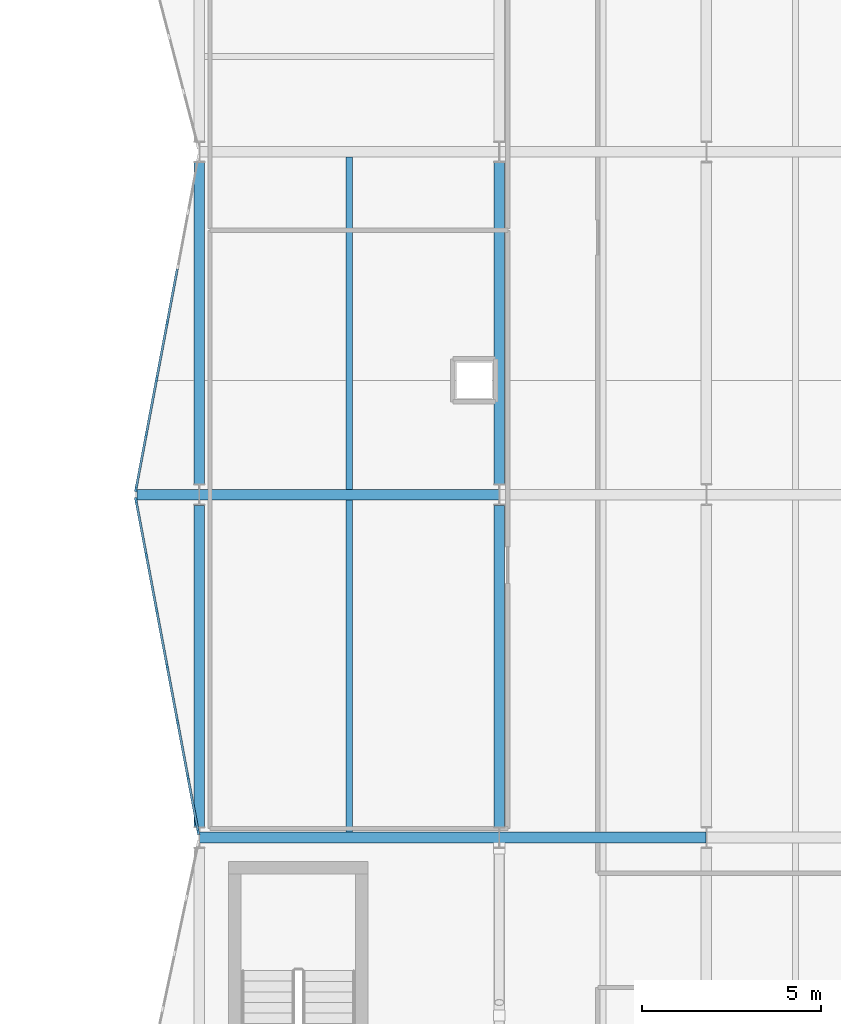
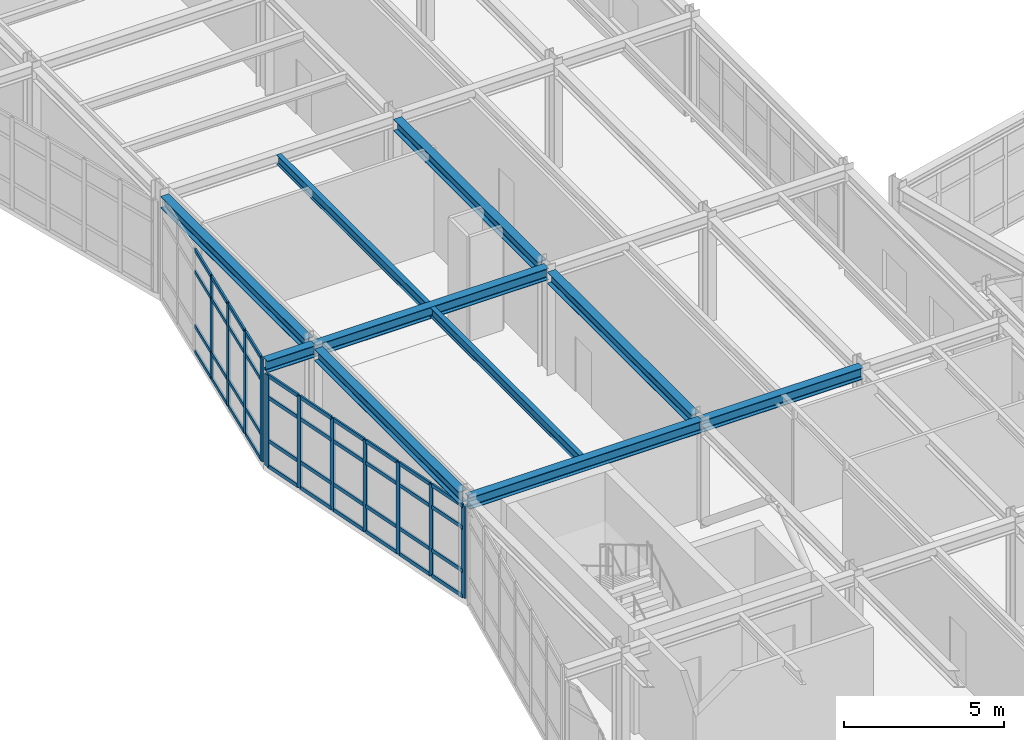
# One storey, part 24 of 99: 51 members, 10 beams, 2 elements without a shape of their own.
"""IFC4 building model written with IfcOpenShell, lengths in metres."""

from ifc_helpers import new_model, si_unit, direction, frame, origin, origin_2d, place, context, subcontext, project, spatial, rectangle, i_section, extrude, material, layer, layer_set, material_profile, profile_set, type_object, element, aggregate, save


model = new_model("IFC4")

# Units and contexts
model_context = context("Model", 3, precision=1e-05, world=origin(), true_north=direction((0.0, 1.0)))
body_context = subcontext(model_context, "Body", "Model", "MODEL_VIEW")
ifc_project = project(units=[si_unit("LENGTHUNIT", "METRE"), si_unit("AREAUNIT", "SQUARE_METRE"), si_unit("VOLUMEUNIT", "CUBIC_METRE"), si_unit("PLANEANGLEUNIT", "RADIAN"), si_unit("MASSUNIT", "GRAM", prefix="KILO")], contexts=[model_context])

# Site, building, storey
site_placement = place(None, origin())
site = spatial("IfcSite", under=ifc_project, at=site_placement, CompositionType="ELEMENT")
building_placement = place(site_placement, origin())
building = spatial("IfcBuilding", under=site, at=building_placement, Name="Nordkorset Police Headquarters", CompositionType="ELEMENT")
storey_placement = place(building_placement, frame((0.0, 0.0, 5.25)))
storey = spatial("IfcBuildingStorey", under=building, at=storey_placement, Name="L01", CompositionType="ELEMENT", Elevation=5.25)

# Beams
ifc_material_1 = material(Name="Steel S355J2", Category="steel")
ifc_material_profile_1 = material_profile(ifc_material_1, i_section(OverallWidth=0.169921875, OverallDepth=0.360107421875, WebThickness=0.008056640625, FlangeThickness=0.0126953125, FilletRadius=0.01806640625, at=origin_2d()), Name="IPE 360")
ifc_profile_set_1 = profile_set([ifc_material_profile_1], Name="Steel S355J2")
beam_type_1 = type_object("IfcBeamType", Name="Beam_IPE_360", PredefinedType="BEAM", material=ifc_profile_set_1)
for number, where, z_axis, x_axis, name in (
    (1, (4.199951171875, 48.14990234375, 3.780029296875), (0.0, 1.0, 0.0), (-1.0, 0.0, 0.0), "Composite Floor Beam V3 L01 0-2-1"),
    (2, (4.199951171875, 57.75, 3.780029296875), (0.0, 1.0, 0.0), (-1.0, 0.0, 0.0), "Composite Floor Beam V3 L01 0-3-1"),
):
    element("IfcBeam", number, at=place(storey_placement, frame(where, z_axis=z_axis, x_axis=x_axis)), inside=storey, type_object=beam_type_1, Name=name, PredefinedType="BEAM", context=body_context, shape_type="SweptSolid", body=[
        extrude(i_section(OverallWidth=0.169921875, OverallDepth=0.360107421875, WebThickness=0.008056640625, FlangeThickness=0.0126953125, FilletRadius=0.01806640625, at=origin_2d()), origin(), (0.0, 0.0, 1.0), 9.300048828125),
    ])

# Curtain wall, members
ifc_material_2 = material(Name="Aluminium alloy AW-6060", Category="aluminium")
ifc_layer_1 = layer(ifc_material_2, 0.179931640625, Name="Aluminium alloy AW-6060")
ifc_layer_set_1 = layer_set([ifc_layer_1], Name="Aluminium alloy AW-6060")
curtain_wall_type_1 = type_object("IfcCurtainWallType", Name="CW_Unit_949x350", PredefinedType="USERDEFINED", material=ifc_layer_set_1)
curtain_wall_1_placement = place(storey_placement, origin())
curtain_wall_1 = element("IfcCurtainWall", 3, at=curtain_wall_1_placement, inside=storey, type_object=curtain_wall_type_1, Name="Unitised Curtain Wall L01 V3W-2", ObjectType="UNITISED CURTAIN WALL", PredefinedType="USERDEFINED")
ifc_material_3 = material(Name="Aluminium alloy AW-6060", Category="aluminium")
ifc_material_profile_2 = material_profile(ifc_material_3, rectangle(XDim=0.06494140625, YDim=0.179931640625, at=origin_2d()), Name="ALU MULL 65x180")
ifc_profile_set_2 = profile_set([ifc_material_profile_2], Name="Aluminium alloy AW-6060")
member_type_1 = type_object("IfcMemberType", Name="CW_Mullion_65x180", PredefinedType="MULLION", material=ifc_profile_set_2)
member_1_placement = place(storey_placement, frame((-0.03173828125, 48.16943359375, 0.0), z_axis=(0.0, 0.0, 1.0), x_axis=(-0.982872186935, -0.184288535048, 0.0)))
member_1 = element("IfcMember", 4, at=member_1_placement, type_object=member_type_1, Name="CW-78 mullion 1", PredefinedType="MULLION", context=body_context, shape_type="SweptSolid", body=[
    extrude(rectangle(XDim=0.06494140625, YDim=0.179931640625, at=origin_2d()), origin(), (0.0, 0.0, 1.0), 3.5),
])
member_2_placement = place(storey_placement, frame((-0.317138671875, 49.691650390625, 0.0), z_axis=(0.0, 0.0, 1.0), x_axis=(-0.982872186935, -0.184288535048, 0.0)))
member_2 = element("IfcMember", 5, at=member_2_placement, type_object=member_type_1, Name="CW-78 mullion 2", PredefinedType="MULLION", context=body_context, shape_type="SweptSolid", body=[
    extrude(rectangle(XDim=0.06494140625, YDim=0.179931640625, at=origin_2d()), origin(), (0.0, 0.0, 1.0), 3.5),
])
member_3_placement = place(storey_placement, frame((-0.608642578125, 51.245849609375, 0.0), z_axis=(0.0, 0.0, 1.0), x_axis=(-0.982872186935, -0.184288535048, 0.0)))
member_3 = element("IfcMember", 6, at=member_3_placement, type_object=member_type_1, Name="CW-78 mullion 3", PredefinedType="MULLION", context=body_context, shape_type="SweptSolid", body=[
    extrude(rectangle(XDim=0.06494140625, YDim=0.179931640625, at=origin_2d()), origin(), (0.0, 0.0, 1.0), 3.5),
])
member_4_placement = place(storey_placement, frame((-0.89990234375, 52.800048828125, 0.0), z_axis=(0.0, 0.0, 1.0), x_axis=(-0.982872186935, -0.184288535048, 0.0)))
member_4 = element("IfcMember", 7, at=member_4_placement, type_object=member_type_1, Name="CW-78 mullion 4", PredefinedType="MULLION", context=body_context, shape_type="SweptSolid", body=[
    extrude(rectangle(XDim=0.06494140625, YDim=0.179931640625, at=origin_2d()), origin(), (0.0, 0.0, 1.0), 3.5),
])
member_5_placement = place(storey_placement, frame((-1.19140625, 54.354248046875, 0.0), z_axis=(0.0, 0.0, 1.0), x_axis=(-0.982872186935, -0.184288535048, 0.0)))
member_5 = element("IfcMember", 8, at=member_5_placement, type_object=member_type_1, Name="CW-78 mullion 5", PredefinedType="MULLION", context=body_context, shape_type="SweptSolid", body=[
    extrude(rectangle(XDim=0.06494140625, YDim=0.179931640625, at=origin_2d()), origin(), (0.0, 0.0, 1.0), 3.5),
])
member_6_placement = place(storey_placement, frame((-1.48291015625, 55.908203125, 0.0), z_axis=(0.0, 0.0, 1.0), x_axis=(-0.982872186935, -0.184288535048, 0.0)))
member_6 = element("IfcMember", 9, at=member_6_placement, type_object=member_type_1, Name="CW-78 mullion 6", PredefinedType="MULLION", context=body_context, shape_type="SweptSolid", body=[
    extrude(rectangle(XDim=0.06494140625, YDim=0.179931640625, at=origin_2d()), origin(), (0.0, 0.0, 1.0), 3.5),
])
member_7_placement = place(storey_placement, frame((-1.768310546875, 57.430419921875, 0.0), z_axis=(0.0, 0.0, 1.0), x_axis=(-0.982872186935, -0.184288535048, 0.0)))
member_7 = element("IfcMember", 10, at=member_7_placement, type_object=member_type_1, Name="CW-78 mullion 7", PredefinedType="MULLION", context=body_context, shape_type="SweptSolid", body=[
    extrude(rectangle(XDim=0.06494140625, YDim=0.179931640625, at=origin_2d()), origin(), (0.0, 0.0, 1.0), 3.5),
])

ifc_material_4 = material(Name="Aluminium alloy AW-6060", Category="aluminium")
ifc_layer_2 = layer(ifc_material_4, 0.179931640625, Name="Aluminium alloy AW-6060")
ifc_layer_set_2 = layer_set([ifc_layer_2], Name="Aluminium alloy AW-6060")
curtain_wall_type_2 = type_object("IfcCurtainWallType", Name="CW_Unit_949x392", PredefinedType="USERDEFINED", material=ifc_layer_set_2)
curtain_wall_2_placement = place(storey_placement, origin())
curtain_wall_2 = element("IfcCurtainWall", 11, at=curtain_wall_2_placement, inside=storey, type_object=curtain_wall_type_2, Name="Unitised Curtain Wall L01 V3W-3", ObjectType="UNITISED CURTAIN WALL", PredefinedType="USERDEFINED")
member_8_placement = place(storey_placement, frame((-1.768310546875, 57.76953125, 0.0), z_axis=(0.0, 0.0, 1.0), x_axis=(-0.982872186935, 0.184288535048, 0.0)))
member_8 = element("IfcMember", 12, at=member_8_placement, type_object=member_type_1, Name="CW-49 mullion 1", PredefinedType="MULLION", context=body_context, shape_type="SweptSolid", body=[
    extrude(rectangle(XDim=0.06494140625, YDim=0.179931640625, at=origin_2d()), origin(), (0.0, 0.0, 1.0), 3.919921875),
])
member_9_placement = place(storey_placement, frame((-1.48291015625, 59.291748046875, 0.0), z_axis=(0.0, 0.0, 1.0), x_axis=(-0.982872186935, 0.184288535048, 0.0)))
member_9 = element("IfcMember", 13, at=member_9_placement, type_object=member_type_1, Name="CW-49 mullion 2", PredefinedType="MULLION", context=body_context, shape_type="SweptSolid", body=[
    extrude(rectangle(XDim=0.06494140625, YDim=0.179931640625, at=origin_2d()), origin(), (0.0, 0.0, 1.0), 3.919921875),
])
member_10_placement = place(storey_placement, frame((-1.19140625, 60.845947265625, 0.0), z_axis=(0.0, 0.0, 1.0), x_axis=(-0.982872186935, 0.184288535048, 0.0)))
member_10 = element("IfcMember", 14, at=member_10_placement, type_object=member_type_1, Name="CW-49 mullion 3", PredefinedType="MULLION", context=body_context, shape_type="SweptSolid", body=[
    extrude(rectangle(XDim=0.06494140625, YDim=0.179931640625, at=origin_2d()), origin(), (0.0, 0.0, 1.0), 3.919921875),
])
member_11_placement = place(storey_placement, frame((-0.89990234375, 62.39990234375, 0.0), z_axis=(0.0, 0.0, 1.0), x_axis=(-0.982872186935, 0.184288535048, 0.0)))
member_11 = element("IfcMember", 15, at=member_11_placement, type_object=member_type_1, Name="CW-49 mullion 4", PredefinedType="MULLION", context=body_context, shape_type="SweptSolid", body=[
    extrude(rectangle(XDim=0.06494140625, YDim=0.179931640625, at=origin_2d()), origin(), (0.0, 0.0, 1.0), 3.919921875),
])

# Member
ifc_material_5 = material(Name="Aluminium alloy AW-6060", Category="aluminium")
ifc_material_profile_3 = material_profile(ifc_material_5, rectangle(XDim=0.06494140625, YDim=0.139892578125, at=origin_2d()), Name="ALU TRAN 65x140")
ifc_profile_set_3 = profile_set([ifc_material_profile_3], Name="Aluminium alloy AW-6060")
member_type_2 = type_object("IfcMemberType", Name="CW_Transom_65x140", PredefinedType="USERDEFINED", material=ifc_profile_set_3)
member_12_placement = place(storey_placement, frame((-0.037841796875, 48.201416015625, 0.032470703125), z_axis=(-0.184298470268, 0.982870324029, 0.0), x_axis=(-0.982870324029, -0.184298470268, 0.0)))
member_12 = element("IfcMember", 16, at=member_12_placement, type_object=member_type_2, Name="CW-78 transom 1.1", ObjectType="TRANSOM", PredefinedType="USERDEFINED", context=body_context, shape_type="SweptSolid", body=[
    extrude(rectangle(XDim=0.06494140625, YDim=0.139892578125, at=origin_2d()), origin(), (0.0, 0.0, 1.0), 1.483642578125),
])

member_13_placement = place(storey_placement, frame((-0.037841796875, 48.201416015625, 1.0), z_axis=(-0.184298470268, 0.982870324029, 0.0), x_axis=(-0.982870324029, -0.184298470268, 0.0)))
member_13 = element("IfcMember", 17, at=member_13_placement, type_object=member_type_2, Name="CW-78 transom 1.2", ObjectType="TRANSOM", PredefinedType="USERDEFINED", context=body_context, shape_type="SweptSolid", body=[
    extrude(rectangle(XDim=0.06494140625, YDim=0.139892578125, at=origin_2d()), origin(), (0.0, 0.0, 1.0), 1.483642578125),
])

member_14_placement = place(storey_placement, frame((-0.037841796875, 48.201416015625, 2.64990234375), z_axis=(-0.184298470268, 0.982870324029, 0.0), x_axis=(-0.982870324029, -0.184298470268, 0.0)))
member_14 = element("IfcMember", 18, at=member_14_placement, type_object=member_type_2, Name="CW-78 transom 1.3", ObjectType="TRANSOM", PredefinedType="USERDEFINED", context=body_context, shape_type="SweptSolid", body=[
    extrude(rectangle(XDim=0.06494140625, YDim=0.139892578125, at=origin_2d()), origin(), (0.0, 0.0, 1.0), 1.483642578125),
])

member_15_placement = place(storey_placement, frame((-0.037841796875, 48.201416015625, 3.467529296875), z_axis=(-0.184298470268, 0.982870324029, 0.0), x_axis=(-0.982870324029, -0.184298470268, 0.0)))
member_15 = element("IfcMember", 19, at=member_15_placement, type_object=member_type_2, Name="CW-78 transom 1.4", ObjectType="TRANSOM", PredefinedType="USERDEFINED", context=body_context, shape_type="SweptSolid", body=[
    extrude(rectangle(XDim=0.06494140625, YDim=0.139892578125, at=origin_2d()), origin(), (0.0, 0.0, 1.0), 1.483642578125),
])

member_16_placement = place(storey_placement, frame((-0.3232421875, 49.7236328125, 0.032470703125), z_axis=(-0.184210757138, 0.982886767107, 0.0), x_axis=(-0.982886767107, -0.184210757138, 0.0)))
member_16 = element("IfcMember", 20, at=member_16_placement, type_object=member_type_2, Name="CW-78 transom 2.1", ObjectType="TRANSOM", PredefinedType="USERDEFINED", context=body_context, shape_type="SweptSolid", body=[
    extrude(rectangle(XDim=0.06494140625, YDim=0.139892578125, at=origin_2d()), origin(), (0.0, 0.0, 1.0), 1.51611328125),
])

member_17_placement = place(storey_placement, frame((-0.3232421875, 49.7236328125, 1.0), z_axis=(-0.184210757138, 0.982886767107, 0.0), x_axis=(-0.982886767107, -0.184210757138, 0.0)))
member_17 = element("IfcMember", 21, at=member_17_placement, type_object=member_type_2, Name="CW-78 transom 2.2", ObjectType="TRANSOM", PredefinedType="USERDEFINED", context=body_context, shape_type="SweptSolid", body=[
    extrude(rectangle(XDim=0.06494140625, YDim=0.139892578125, at=origin_2d()), origin(), (0.0, 0.0, 1.0), 1.51611328125),
])

member_18_placement = place(storey_placement, frame((-0.3232421875, 49.7236328125, 2.64990234375), z_axis=(-0.184210757138, 0.982886767107, 0.0), x_axis=(-0.982886767107, -0.184210757138, 0.0)))
member_18 = element("IfcMember", 22, at=member_18_placement, type_object=member_type_2, Name="CW-78 transom 2.3", ObjectType="TRANSOM", PredefinedType="USERDEFINED", context=body_context, shape_type="SweptSolid", body=[
    extrude(rectangle(XDim=0.06494140625, YDim=0.139892578125, at=origin_2d()), origin(), (0.0, 0.0, 1.0), 1.51611328125),
])

member_19_placement = place(storey_placement, frame((-0.3232421875, 49.7236328125, 3.467529296875), z_axis=(-0.184210757138, 0.982886767107, 0.0), x_axis=(-0.982886767107, -0.184210757138, 0.0)))
member_19 = element("IfcMember", 23, at=member_19_placement, type_object=member_type_2, Name="CW-78 transom 2.4", ObjectType="TRANSOM", PredefinedType="USERDEFINED", context=body_context, shape_type="SweptSolid", body=[
    extrude(rectangle(XDim=0.06494140625, YDim=0.139892578125, at=origin_2d()), origin(), (0.0, 0.0, 1.0), 1.51611328125),
])

member_20_placement = place(storey_placement, frame((-0.614501953125, 51.27783203125, 0.032470703125), z_axis=(-0.1843663095, 0.98285760104, 0.0), x_axis=(-0.98285760104, -0.1843663095, 0.0)))
member_20 = element("IfcMember", 24, at=member_20_placement, type_object=member_type_2, Name="CW-78 transom 3.1", ObjectType="TRANSOM", PredefinedType="USERDEFINED", context=body_context, shape_type="SweptSolid", body=[
    extrude(rectangle(XDim=0.06494140625, YDim=0.139892578125, at=origin_2d()), origin(), (0.0, 0.0, 1.0), 1.51611328125),
])

member_21_placement = place(storey_placement, frame((-0.614501953125, 51.27783203125, 1.0), z_axis=(-0.1843663095, 0.98285760104, 0.0), x_axis=(-0.98285760104, -0.1843663095, 0.0)))
member_21 = element("IfcMember", 25, at=member_21_placement, type_object=member_type_2, Name="CW-78 transom 3.2", ObjectType="TRANSOM", PredefinedType="USERDEFINED", context=body_context, shape_type="SweptSolid", body=[
    extrude(rectangle(XDim=0.06494140625, YDim=0.139892578125, at=origin_2d()), origin(), (0.0, 0.0, 1.0), 1.51611328125),
])

member_22_placement = place(storey_placement, frame((-0.614501953125, 51.27783203125, 2.64990234375), z_axis=(-0.1843663095, 0.98285760104, 0.0), x_axis=(-0.98285760104, -0.1843663095, 0.0)))
member_22 = element("IfcMember", 26, at=member_22_placement, type_object=member_type_2, Name="CW-78 transom 3.3", ObjectType="TRANSOM", PredefinedType="USERDEFINED", context=body_context, shape_type="SweptSolid", body=[
    extrude(rectangle(XDim=0.06494140625, YDim=0.139892578125, at=origin_2d()), origin(), (0.0, 0.0, 1.0), 1.51611328125),
])

member_23_placement = place(storey_placement, frame((-0.614501953125, 51.27783203125, 3.467529296875), z_axis=(-0.1843663095, 0.98285760104, 0.0), x_axis=(-0.98285760104, -0.1843663095, 0.0)))
member_23 = element("IfcMember", 27, at=member_23_placement, type_object=member_type_2, Name="CW-78 transom 3.4", ObjectType="TRANSOM", PredefinedType="USERDEFINED", context=body_context, shape_type="SweptSolid", body=[
    extrude(rectangle(XDim=0.06494140625, YDim=0.139892578125, at=origin_2d()), origin(), (0.0, 0.0, 1.0), 1.51611328125),
])

member_24_placement = place(storey_placement, frame((-0.906005859375, 52.83203125, 0.032470703125), z_axis=(-0.184210757138, 0.982886767107, 0.0), x_axis=(-0.982886767107, -0.184210757138, 0.0)))
member_24 = element("IfcMember", 28, at=member_24_placement, type_object=member_type_2, Name="CW-78 transom 4.1", ObjectType="TRANSOM", PredefinedType="USERDEFINED", context=body_context, shape_type="SweptSolid", body=[
    extrude(rectangle(XDim=0.06494140625, YDim=0.139892578125, at=origin_2d()), origin(), (0.0, 0.0, 1.0), 1.51611328125),
])

member_25_placement = place(storey_placement, frame((-0.906005859375, 52.83203125, 1.0), z_axis=(-0.184210757138, 0.982886767107, 0.0), x_axis=(-0.982886767107, -0.184210757138, 0.0)))
member_25 = element("IfcMember", 29, at=member_25_placement, type_object=member_type_2, Name="CW-78 transom 4.2", ObjectType="TRANSOM", PredefinedType="USERDEFINED", context=body_context, shape_type="SweptSolid", body=[
    extrude(rectangle(XDim=0.06494140625, YDim=0.139892578125, at=origin_2d()), origin(), (0.0, 0.0, 1.0), 1.51611328125),
])

member_26_placement = place(storey_placement, frame((-0.906005859375, 52.83203125, 2.64990234375), z_axis=(-0.184210757138, 0.982886767107, 0.0), x_axis=(-0.982886767107, -0.184210757138, 0.0)))
member_26 = element("IfcMember", 30, at=member_26_placement, type_object=member_type_2, Name="CW-78 transom 4.3", ObjectType="TRANSOM", PredefinedType="USERDEFINED", context=body_context, shape_type="SweptSolid", body=[
    extrude(rectangle(XDim=0.06494140625, YDim=0.139892578125, at=origin_2d()), origin(), (0.0, 0.0, 1.0), 1.51611328125),
])

member_27_placement = place(storey_placement, frame((-0.906005859375, 52.83203125, 3.467529296875), z_axis=(-0.184210757138, 0.982886767107, 0.0), x_axis=(-0.982886767107, -0.184210757138, 0.0)))
member_27 = element("IfcMember", 31, at=member_27_placement, type_object=member_type_2, Name="CW-78 transom 4.4", ObjectType="TRANSOM", PredefinedType="USERDEFINED", context=body_context, shape_type="SweptSolid", body=[
    extrude(rectangle(XDim=0.06494140625, YDim=0.139892578125, at=origin_2d()), origin(), (0.0, 0.0, 1.0), 1.51611328125),
])

member_28_placement = place(storey_placement, frame((-1.197509765625, 54.385986328125, 0.032470703125), z_axis=(-0.184210757138, 0.982886767107, 0.0), x_axis=(-0.982886767107, -0.184210757138, 0.0)))
member_28 = element("IfcMember", 32, at=member_28_placement, type_object=member_type_2, Name="CW-78 transom 5.1", ObjectType="TRANSOM", PredefinedType="USERDEFINED", context=body_context, shape_type="SweptSolid", body=[
    extrude(rectangle(XDim=0.06494140625, YDim=0.139892578125, at=origin_2d()), origin(), (0.0, 0.0, 1.0), 1.51611328125),
])

member_29_placement = place(storey_placement, frame((-1.197509765625, 54.385986328125, 1.0), z_axis=(-0.184210757138, 0.982886767107, 0.0), x_axis=(-0.982886767107, -0.184210757138, 0.0)))
member_29 = element("IfcMember", 33, at=member_29_placement, type_object=member_type_2, Name="CW-78 transom 5.2", ObjectType="TRANSOM", PredefinedType="USERDEFINED", context=body_context, shape_type="SweptSolid", body=[
    extrude(rectangle(XDim=0.06494140625, YDim=0.139892578125, at=origin_2d()), origin(), (0.0, 0.0, 1.0), 1.51611328125),
])

member_30_placement = place(storey_placement, frame((-1.197509765625, 54.385986328125, 2.64990234375), z_axis=(-0.184210757138, 0.982886767107, 0.0), x_axis=(-0.982886767107, -0.184210757138, 0.0)))
member_30 = element("IfcMember", 34, at=member_30_placement, type_object=member_type_2, Name="CW-78 transom 5.3", ObjectType="TRANSOM", PredefinedType="USERDEFINED", context=body_context, shape_type="SweptSolid", body=[
    extrude(rectangle(XDim=0.06494140625, YDim=0.139892578125, at=origin_2d()), origin(), (0.0, 0.0, 1.0), 1.51611328125),
])

member_31_placement = place(storey_placement, frame((-1.197509765625, 54.385986328125, 3.467529296875), z_axis=(-0.184210757138, 0.982886767107, 0.0), x_axis=(-0.982886767107, -0.184210757138, 0.0)))
member_31 = element("IfcMember", 35, at=member_31_placement, type_object=member_type_2, Name="CW-78 transom 5.4", ObjectType="TRANSOM", PredefinedType="USERDEFINED", context=body_context, shape_type="SweptSolid", body=[
    extrude(rectangle(XDim=0.06494140625, YDim=0.139892578125, at=origin_2d()), origin(), (0.0, 0.0, 1.0), 1.51611328125),
])

member_32_placement = place(storey_placement, frame((-1.48876953125, 55.940185546875, 0.032470703125), z_axis=(-0.184298470268, 0.982870324029, 0.0), x_axis=(-0.982870324029, -0.184298470268, 0.0)))
member_32 = element("IfcMember", 36, at=member_32_placement, type_object=member_type_2, Name="CW-78 transom 6.1", ObjectType="TRANSOM", PredefinedType="USERDEFINED", context=body_context, shape_type="SweptSolid", body=[
    extrude(rectangle(XDim=0.06494140625, YDim=0.139892578125, at=origin_2d()), origin(), (0.0, 0.0, 1.0), 1.483642578125),
])

member_33_placement = place(storey_placement, frame((-1.48876953125, 55.940185546875, 1.0), z_axis=(-0.184298470268, 0.982870324029, 0.0), x_axis=(-0.982870324029, -0.184298470268, 0.0)))
member_33 = element("IfcMember", 37, at=member_33_placement, type_object=member_type_2, Name="CW-78 transom 6.2", ObjectType="TRANSOM", PredefinedType="USERDEFINED", context=body_context, shape_type="SweptSolid", body=[
    extrude(rectangle(XDim=0.06494140625, YDim=0.139892578125, at=origin_2d()), origin(), (0.0, 0.0, 1.0), 1.483642578125),
])

member_34_placement = place(storey_placement, frame((-1.48876953125, 55.940185546875, 2.64990234375), z_axis=(-0.184298470268, 0.982870324029, 0.0), x_axis=(-0.982870324029, -0.184298470268, 0.0)))
member_34 = element("IfcMember", 38, at=member_34_placement, type_object=member_type_2, Name="CW-78 transom 6.3", ObjectType="TRANSOM", PredefinedType="USERDEFINED", context=body_context, shape_type="SweptSolid", body=[
    extrude(rectangle(XDim=0.06494140625, YDim=0.139892578125, at=origin_2d()), origin(), (0.0, 0.0, 1.0), 1.483642578125),
])

member_35_placement = place(storey_placement, frame((-1.48876953125, 55.940185546875, 3.467529296875), z_axis=(-0.184298470268, 0.982870324029, 0.0), x_axis=(-0.982870324029, -0.184298470268, 0.0)))
member_35 = element("IfcMember", 39, at=member_35_placement, type_object=member_type_2, Name="CW-78 transom 6.4", ObjectType="TRANSOM", PredefinedType="USERDEFINED", context=body_context, shape_type="SweptSolid", body=[
    extrude(rectangle(XDim=0.06494140625, YDim=0.139892578125, at=origin_2d()), origin(), (0.0, 0.0, 1.0), 1.483642578125),
])

aggregate(curtain_wall_1, [member_1, member_2, member_3, member_4, member_5, member_6, member_7, member_12, member_13, member_14, member_15, member_16, member_17, member_18, member_19, member_20, member_21, member_22, member_23, member_24, member_25, member_26, member_27, member_28, member_29, member_30, member_31, member_32, member_33, member_34, member_35])

member_36_placement = place(storey_placement, frame((-1.76220703125, 57.801513671875, 0.032470703125), z_axis=(0.184298470268, 0.982870324029, 0.0), x_axis=(-0.982870324029, 0.184298470268, 0.0)))
member_36 = element("IfcMember", 40, at=member_36_placement, type_object=member_type_2, Name="CW-49 transom 1.1", ObjectType="TRANSOM", PredefinedType="USERDEFINED", context=body_context, shape_type="SweptSolid", body=[
    extrude(rectangle(XDim=0.06494140625, YDim=0.139892578125, at=origin_2d()), origin(), (0.0, 0.0, 1.0), 1.483642578125),
])

member_37_placement = place(storey_placement, frame((-1.76220703125, 57.801513671875, 1.0), z_axis=(0.184298470268, 0.982870324029, 0.0), x_axis=(-0.982870324029, 0.184298470268, 0.0)))
member_37 = element("IfcMember", 41, at=member_37_placement, type_object=member_type_2, Name="CW-49 transom 1.2", ObjectType="TRANSOM", PredefinedType="USERDEFINED", context=body_context, shape_type="SweptSolid", body=[
    extrude(rectangle(XDim=0.06494140625, YDim=0.139892578125, at=origin_2d()), origin(), (0.0, 0.0, 1.0), 1.483642578125),
])

member_38_placement = place(storey_placement, frame((-1.76220703125, 57.801513671875, 3.070068359375), z_axis=(0.184298470268, 0.982870324029, 0.0), x_axis=(-0.982870324029, 0.184298470268, 0.0)))
member_38 = element("IfcMember", 42, at=member_38_placement, type_object=member_type_2, Name="CW-49 transom 1.3", ObjectType="TRANSOM", PredefinedType="USERDEFINED", context=body_context, shape_type="SweptSolid", body=[
    extrude(rectangle(XDim=0.06494140625, YDim=0.139892578125, at=origin_2d()), origin(), (0.0, 0.0, 1.0), 1.483642578125),
])

member_39_placement = place(storey_placement, frame((-1.76220703125, 57.801513671875, 3.887451171875), z_axis=(0.184298470268, 0.982870324029, 0.0), x_axis=(-0.982870324029, 0.184298470268, 0.0)))
member_39 = element("IfcMember", 43, at=member_39_placement, type_object=member_type_2, Name="CW-49 transom 1.4", ObjectType="TRANSOM", PredefinedType="USERDEFINED", context=body_context, shape_type="SweptSolid", body=[
    extrude(rectangle(XDim=0.06494140625, YDim=0.139892578125, at=origin_2d()), origin(), (0.0, 0.0, 1.0), 1.483642578125),
])

member_40_placement = place(storey_placement, frame((-1.476806640625, 59.32373046875, 0.032470703125), z_axis=(0.184210757138, 0.982886767107, 0.0), x_axis=(-0.982886767107, 0.184210757138, 0.0)))
member_40 = element("IfcMember", 44, at=member_40_placement, type_object=member_type_2, Name="CW-49 transom 2.1", ObjectType="TRANSOM", PredefinedType="USERDEFINED", context=body_context, shape_type="SweptSolid", body=[
    extrude(rectangle(XDim=0.06494140625, YDim=0.139892578125, at=origin_2d()), origin(), (0.0, 0.0, 1.0), 1.51611328125),
])

member_41_placement = place(storey_placement, frame((-1.476806640625, 59.32373046875, 1.0), z_axis=(0.184210757138, 0.982886767107, 0.0), x_axis=(-0.982886767107, 0.184210757138, 0.0)))
member_41 = element("IfcMember", 45, at=member_41_placement, type_object=member_type_2, Name="CW-49 transom 2.2", ObjectType="TRANSOM", PredefinedType="USERDEFINED", context=body_context, shape_type="SweptSolid", body=[
    extrude(rectangle(XDim=0.06494140625, YDim=0.139892578125, at=origin_2d()), origin(), (0.0, 0.0, 1.0), 1.51611328125),
])

member_42_placement = place(storey_placement, frame((-1.476806640625, 59.32373046875, 3.070068359375), z_axis=(0.184210757138, 0.982886767107, 0.0), x_axis=(-0.982886767107, 0.184210757138, 0.0)))
member_42 = element("IfcMember", 46, at=member_42_placement, type_object=member_type_2, Name="CW-49 transom 2.3", ObjectType="TRANSOM", PredefinedType="USERDEFINED", context=body_context, shape_type="SweptSolid", body=[
    extrude(rectangle(XDim=0.06494140625, YDim=0.139892578125, at=origin_2d()), origin(), (0.0, 0.0, 1.0), 1.51611328125),
])

member_43_placement = place(storey_placement, frame((-1.476806640625, 59.32373046875, 3.887451171875), z_axis=(0.184210757138, 0.982886767107, 0.0), x_axis=(-0.982886767107, 0.184210757138, 0.0)))
member_43 = element("IfcMember", 47, at=member_43_placement, type_object=member_type_2, Name="CW-49 transom 2.4", ObjectType="TRANSOM", PredefinedType="USERDEFINED", context=body_context, shape_type="SweptSolid", body=[
    extrude(rectangle(XDim=0.06494140625, YDim=0.139892578125, at=origin_2d()), origin(), (0.0, 0.0, 1.0), 1.51611328125),
])

member_44_placement = place(storey_placement, frame((-1.185302734375, 60.8779296875, 0.032470703125), z_axis=(0.184210757138, 0.982886767107, 0.0), x_axis=(-0.982886767107, 0.184210757138, 0.0)))
member_44 = element("IfcMember", 48, at=member_44_placement, type_object=member_type_2, Name="CW-49 transom 3.1", ObjectType="TRANSOM", PredefinedType="USERDEFINED", context=body_context, shape_type="SweptSolid", body=[
    extrude(rectangle(XDim=0.06494140625, YDim=0.139892578125, at=origin_2d()), origin(), (0.0, 0.0, 1.0), 1.51611328125),
])

member_45_placement = place(storey_placement, frame((-1.185302734375, 60.8779296875, 1.0), z_axis=(0.184210757138, 0.982886767107, 0.0), x_axis=(-0.982886767107, 0.184210757138, 0.0)))
member_45 = element("IfcMember", 49, at=member_45_placement, type_object=member_type_2, Name="CW-49 transom 3.2", ObjectType="TRANSOM", PredefinedType="USERDEFINED", context=body_context, shape_type="SweptSolid", body=[
    extrude(rectangle(XDim=0.06494140625, YDim=0.139892578125, at=origin_2d()), origin(), (0.0, 0.0, 1.0), 1.51611328125),
])

member_46_placement = place(storey_placement, frame((-1.185302734375, 60.8779296875, 3.070068359375), z_axis=(0.184210757138, 0.982886767107, 0.0), x_axis=(-0.982886767107, 0.184210757138, 0.0)))
member_46 = element("IfcMember", 50, at=member_46_placement, type_object=member_type_2, Name="CW-49 transom 3.3", ObjectType="TRANSOM", PredefinedType="USERDEFINED", context=body_context, shape_type="SweptSolid", body=[
    extrude(rectangle(XDim=0.06494140625, YDim=0.139892578125, at=origin_2d()), origin(), (0.0, 0.0, 1.0), 1.51611328125),
])

member_47_placement = place(storey_placement, frame((-1.185302734375, 60.8779296875, 3.887451171875), z_axis=(0.184210757138, 0.982886767107, 0.0), x_axis=(-0.982886767107, 0.184210757138, 0.0)))
member_47 = element("IfcMember", 51, at=member_47_placement, type_object=member_type_2, Name="CW-49 transom 3.4", ObjectType="TRANSOM", PredefinedType="USERDEFINED", context=body_context, shape_type="SweptSolid", body=[
    extrude(rectangle(XDim=0.06494140625, YDim=0.139892578125, at=origin_2d()), origin(), (0.0, 0.0, 1.0), 1.51611328125),
])

member_48_placement = place(storey_placement, frame((-0.89404296875, 62.431884765625, 0.032470703125), z_axis=(0.1843663095, 0.98285760104, 0.0), x_axis=(-0.98285760104, 0.1843663095, 0.0)))
member_48 = element("IfcMember", 52, at=member_48_placement, type_object=member_type_2, Name="CW-49 transom 4.1", ObjectType="TRANSOM", PredefinedType="USERDEFINED", context=body_context, shape_type="SweptSolid", body=[
    extrude(rectangle(XDim=0.06494140625, YDim=0.139892578125, at=origin_2d()), origin(), (0.0, 0.0, 1.0), 1.51611328125),
])

member_49_placement = place(storey_placement, frame((-0.89404296875, 62.431884765625, 1.0), z_axis=(0.1843663095, 0.98285760104, 0.0), x_axis=(-0.98285760104, 0.1843663095, 0.0)))
member_49 = element("IfcMember", 53, at=member_49_placement, type_object=member_type_2, Name="CW-49 transom 4.2", ObjectType="TRANSOM", PredefinedType="USERDEFINED", context=body_context, shape_type="SweptSolid", body=[
    extrude(rectangle(XDim=0.06494140625, YDim=0.139892578125, at=origin_2d()), origin(), (0.0, 0.0, 1.0), 1.51611328125),
])

member_50_placement = place(storey_placement, frame((-0.89404296875, 62.431884765625, 3.070068359375), z_axis=(0.1843663095, 0.98285760104, 0.0), x_axis=(-0.98285760104, 0.1843663095, 0.0)))
member_50 = element("IfcMember", 54, at=member_50_placement, type_object=member_type_2, Name="CW-49 transom 4.3", ObjectType="TRANSOM", PredefinedType="USERDEFINED", context=body_context, shape_type="SweptSolid", body=[
    extrude(rectangle(XDim=0.06494140625, YDim=0.139892578125, at=origin_2d()), origin(), (0.0, 0.0, 1.0), 1.51611328125),
])

member_51_placement = place(storey_placement, frame((-0.89404296875, 62.431884765625, 3.887451171875), z_axis=(0.1843663095, 0.98285760104, 0.0), x_axis=(-0.98285760104, 0.1843663095, 0.0)))
member_51 = element("IfcMember", 55, at=member_51_placement, type_object=member_type_2, Name="CW-49 transom 4.4", ObjectType="TRANSOM", PredefinedType="USERDEFINED", context=body_context, shape_type="SweptSolid", body=[
    extrude(rectangle(XDim=0.06494140625, YDim=0.139892578125, at=origin_2d()), origin(), (0.0, 0.0, 1.0), 1.51611328125),
])

aggregate(curtain_wall_2, [member_8, member_9, member_10, member_11, member_36, member_37, member_38, member_39, member_40, member_41, member_42, member_43, member_44, member_45, member_46, member_47, member_48, member_49, member_50, member_51])

# Beams
ifc_material_6 = material(Name="Steel S355J2", Category="steel")
ifc_material_profile_4 = material_profile(ifc_material_6, i_section(OverallWidth=0.300048828125, OverallDepth=0.43994140625, WebThickness=0.011474609375, FlangeThickness=0.02099609375, FilletRadius=0.027099609375, at=origin_2d()), Name="HEA 450")
ifc_profile_set_4 = profile_set([ifc_material_profile_4], Name="Steel S355J2")
beam_type_2 = type_object("IfcBeamType", Name="Girder_HEA_450", PredefinedType="USERDEFINED", material=ifc_profile_set_4)
beam_1_placement = place(storey_placement, frame((0.0078125, 48.0, 3.739990234375), z_axis=(1.0, 0.0, 0.0), x_axis=(0.0, 1.0, 0.0)))
element("IfcBeam", 56, at=beam_1_placement, inside=storey, type_object=beam_type_2, Name="Girder V3 L01 GX-2-0", ObjectType="GIRDER", PredefinedType="USERDEFINED", context=body_context, shape_type="SweptSolid", body=[
    extrude(i_section(OverallWidth=0.300048828125, OverallDepth=0.43994140625, WebThickness=0.011474609375, FlangeThickness=0.02099609375, FilletRadius=0.027099609375, at=origin_2d()), origin(), (0.0, 0.0, 1.0), 8.384521484375),
])
beam_2_placement = place(storey_placement, frame((8.40771484375, 48.0, 3.739990234375), z_axis=(1.0, 0.0, 0.0), x_axis=(0.0, 1.0, 0.0)))
element("IfcBeam", 57, at=beam_2_placement, inside=storey, type_object=beam_type_2, Name="Girder V3 L01 GX-2-1", ObjectType="GIRDER", PredefinedType="USERDEFINED", context=body_context, shape_type="SweptSolid", body=[
    extrude(i_section(OverallWidth=0.300048828125, OverallDepth=0.43994140625, WebThickness=0.011474609375, FlangeThickness=0.02099609375, FilletRadius=0.027099609375, at=origin_2d()), origin(), (0.0, 0.0, 1.0), 5.78466796875),
])
beam_3_placement = place(storey_placement, frame((0.0078125, 57.60009765625, 3.739990234375), z_axis=(1.0, 0.0, 0.0), x_axis=(0.0, 1.0, 0.0)))
element("IfcBeam", 58, at=beam_3_placement, inside=storey, type_object=beam_type_2, Name="Girder V3 L01 GX-3-0", ObjectType="GIRDER", PredefinedType="USERDEFINED", context=body_context, shape_type="SweptSolid", body=[
    extrude(i_section(OverallWidth=0.300048828125, OverallDepth=0.43994140625, WebThickness=0.011474609375, FlangeThickness=0.02099609375, FilletRadius=0.027099609375, at=origin_2d()), origin(), (0.0, 0.0, 1.0), 8.384521484375),
])
for number, where, z_axis, x_axis, name in (
    (59, (0.0, 48.300048828125, 3.739990234375), (0.0, 1.0, 0.0), (-1.0, 0.0, 0.0), "Girder V3 L01 GY-0-2"),
    (60, (0.0, 57.89990234375, 3.739990234375), (0.0, 1.0, 0.0), (-1.0, 0.0, 0.0), "Girder V3 L01 GY-0-3"),
    (61, (8.39990234375, 48.300048828125, 3.739990234375), (0.0, 1.0, 0.0), (-1.0, 0.0, 0.0), "Girder V3 L01 GY-1-2"),
    (62, (8.39990234375, 57.89990234375, 3.739990234375), (0.0, 1.0, 0.0), (-1.0, 0.0, 0.0), "Girder V3 L01 GY-1-3"),
):
    element("IfcBeam", number, at=place(storey_placement, frame(where, z_axis=z_axis, x_axis=x_axis)), inside=storey, type_object=beam_type_2, Name=name, ObjectType="GIRDER", PredefinedType="USERDEFINED", context=body_context, shape_type="SweptSolid", body=[
        extrude(i_section(OverallWidth=0.300048828125, OverallDepth=0.43994140625, WebThickness=0.011474609375, FlangeThickness=0.02099609375, FilletRadius=0.027099609375, at=origin_2d()), origin(), (0.0, 0.0, 1.0), 9.0),
    ])
beam_4_placement = place(storey_placement, frame((-0.0078125, 57.60009765625, 3.739990234375), z_axis=(-1.0, 0.0, 0.0), x_axis=(0.0, -1.0, 0.0)))
element("IfcBeam", 63, at=beam_4_placement, inside=storey, type_object=beam_type_2, Name="Sawtooth Facade Outrigger V3 L01 57", ObjectType="GIRDER", PredefinedType="USERDEFINED", context=body_context, shape_type="SweptSolid", body=[
    extrude(i_section(OverallWidth=0.300048828125, OverallDepth=0.43994140625, WebThickness=0.011474609375, FlangeThickness=0.02099609375, FilletRadius=0.027099609375, at=origin_2d()), origin(), (0.0, 0.0, 1.0), 1.732177734375),
])

save(model, "model.ifc")
